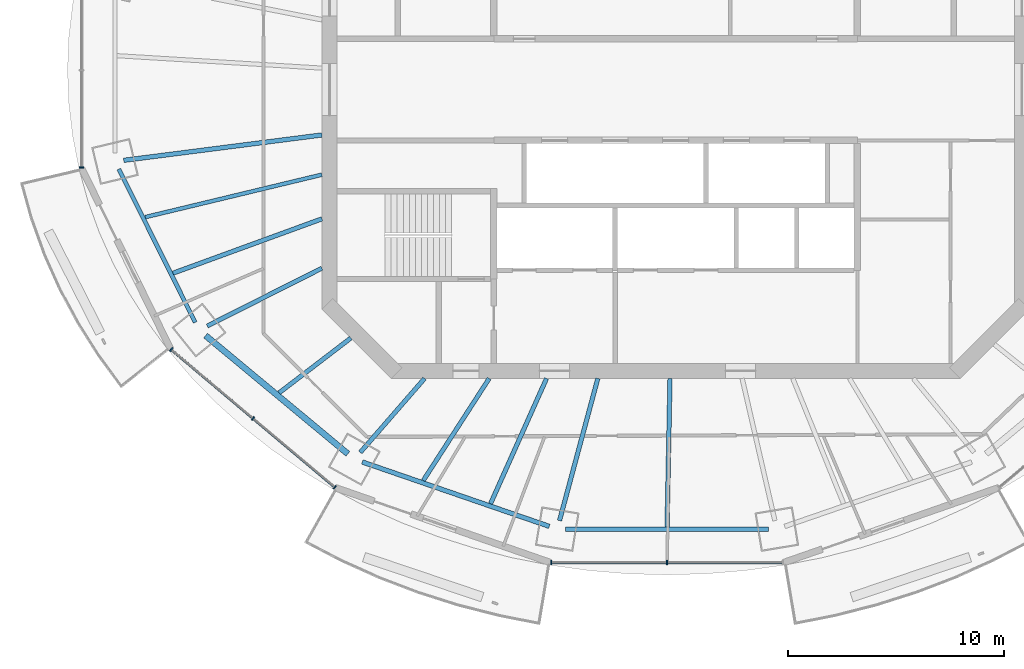
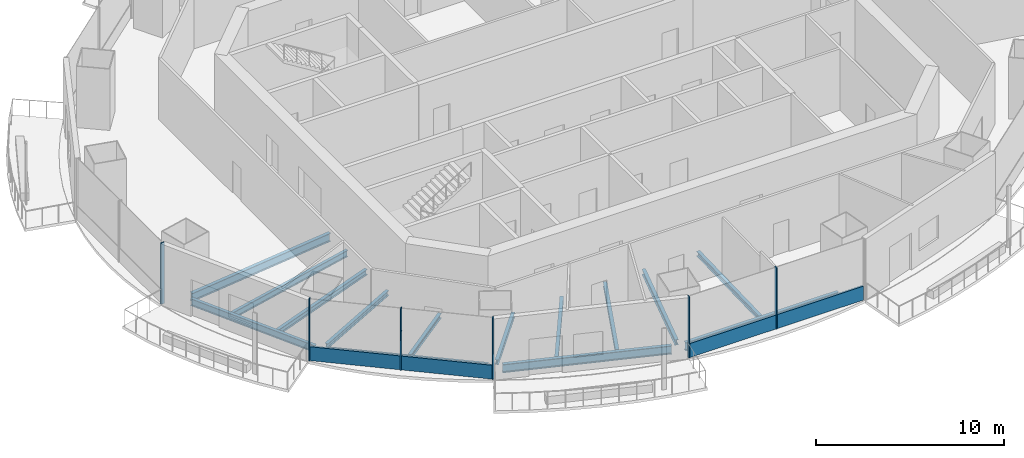
# One storey, part 2 of 16: 14 beams, 8 members, 3 elements without a shape of their own.
"""IFC4 building model written with IfcOpenShell, lengths in metres."""

from ifc_helpers import new_model, si_unit, direction, frame, origin, origin_2d, place, context, subcontext, project, spatial, rectangle, i_section, extrude, material, material_profile, profile_set, type_object, element, aggregate, save


model = new_model("IFC4")

# Units and contexts
model_context = context("Model", 3, precision=1e-05, world=origin(), true_north=direction((0.0, 1.0)))
body_context = subcontext(model_context, "Body", "Model", "MODEL_VIEW")
ifc_project = project(units=[si_unit("LENGTHUNIT", "METRE"), si_unit("AREAUNIT", "SQUARE_METRE"), si_unit("VOLUMEUNIT", "CUBIC_METRE"), si_unit("PLANEANGLEUNIT", "RADIAN"), si_unit("MASSUNIT", "GRAM", prefix="KILO")], contexts=[model_context])

# Site, building, storey
site_placement = place(None, origin())
site = spatial("IfcSite", under=ifc_project, at=site_placement, CompositionType="ELEMENT")
building_placement = place(site_placement, origin())
building = spatial("IfcBuilding", under=site, at=building_placement, Name="Marenthal Gate Tower", CompositionType="ELEMENT")
storey_placement = place(building_placement, frame((0.0, 0.0, 326.0)))
storey = spatial("IfcBuildingStorey", under=building, at=storey_placement, Name="L73", CompositionType="ELEMENT", Elevation=326.0)

# Curtain wall, member
ifc_material_1 = material(Name="Aluminium and glass", Category="aluminium")
curtain_wall_type = type_object("IfcCurtainWallType", Name="Curtain wall typical high", PredefinedType="NOTDEFINED", material=ifc_material_1)
curtain_wall_1_placement = place(storey_placement, origin())
curtain_wall_1 = element("IfcCurtainWall", 1, at=curtain_wall_1_placement, inside=storey, type_object=curtain_wall_type, Name="Curtain wall L73 bay 8", PredefinedType="NOTDEFINED")
ifc_material_2 = material(Name="Aluminium", Category="aluminium")
ifc_material_profile_1 = material_profile(ifc_material_2, rectangle(XDim=0.199951171875, YDim=0.06005859375, at=origin_2d()), Name="60x200 aluminium mullion")
ifc_profile_set_1 = profile_set([ifc_material_profile_1], Name="Aluminium")
member_type_1 = type_object("IfcMemberType", Name="Mullion 60x200 typical high", PredefinedType="MULLION", material=ifc_profile_set_1)
member_1_placement = place(storey_placement, frame((-27.4619140625, -3.597412109375, 0.0), z_axis=(0.0, 0.0, 1.0), x_axis=(1.0, 0.0, 0.0)))
member_1 = element("IfcMember", 2, at=member_1_placement, type_object=member_type_1, Name="Mullion L73 bay 8.3", PredefinedType="MULLION", context=body_context, shape_type="SweptSolid", body=[
    extrude(rectangle(XDim=0.199951171875, YDim=0.06005859375, at=origin_2d()), origin(), (0.0, 0.0, 1.0), 3.969970703125),
])
aggregate(curtain_wall_1, [member_1])

# Curtain wall, members
curtain_wall_2_placement = place(storey_placement, origin())
curtain_wall_2 = element("IfcCurtainWall", 3, at=curtain_wall_2_placement, inside=storey, type_object=curtain_wall_type, Name="Curtain wall L73 bay 10", PredefinedType="NOTDEFINED")
member_2_placement = place(storey_placement, frame((-23.31884765625, -12.012451171875, 0.0), z_axis=(0.0, 0.0, 1.0), x_axis=(0.643676220215, 0.76529793122, 0.0)))
member_2 = element("IfcMember", 4, at=member_2_placement, type_object=member_type_1, Name="Mullion L73 bay 10.1", PredefinedType="MULLION", context=body_context, shape_type="SweptSolid", body=[
    extrude(rectangle(XDim=0.199951171875, YDim=0.06005859375, at=origin_2d()), origin(), (0.0, 0.0, 1.0), 3.969970703125),
])
member_3_placement = place(storey_placement, frame((-19.53564453125, -15.194580078125, 0.0), z_axis=(0.0, 0.0, 1.0), x_axis=(0.643676220215, 0.76529793122, 0.0)))
member_3 = element("IfcMember", 5, at=member_3_placement, type_object=member_type_1, Name="Mullion L73 bay 10.2", PredefinedType="MULLION", context=body_context, shape_type="SweptSolid", body=[
    extrude(rectangle(XDim=0.199951171875, YDim=0.06005859375, at=origin_2d()), origin(), (0.0, 0.0, 1.0), 3.969970703125),
])
member_4_placement = place(storey_placement, frame((-15.752197265625, -18.37646484375, 0.0), z_axis=(0.0, 0.0, 1.0), x_axis=(0.643676220215, 0.76529793122, 0.0)))
member_4 = element("IfcMember", 6, at=member_4_placement, type_object=member_type_1, Name="Mullion L73 bay 10.3", PredefinedType="MULLION", context=body_context, shape_type="SweptSolid", body=[
    extrude(rectangle(XDim=0.199951171875, YDim=0.06005859375, at=origin_2d()), origin(), (0.0, 0.0, 1.0), 3.969970703125),
])

curtain_wall_3_placement = place(storey_placement, origin())
curtain_wall_3 = element("IfcCurtainWall", 7, at=curtain_wall_3_placement, inside=storey, type_object=curtain_wall_type, Name="Curtain wall L73 bay 12", PredefinedType="NOTDEFINED")
member_5_placement = place(storey_placement, frame((-5.7529296875, -21.861083984375, 0.0), z_axis=(0.0, 0.0, 1.0), x_axis=(0.0, 1.0, 0.0)))
member_5 = element("IfcMember", 8, at=member_5_placement, type_object=member_type_1, Name="Mullion L73 bay 12.1", PredefinedType="MULLION", context=body_context, shape_type="SweptSolid", body=[
    extrude(rectangle(XDim=0.199951171875, YDim=0.06005859375, at=origin_2d()), origin(), (0.0, 0.0, 1.0), 3.969970703125),
])
member_6_placement = place(storey_placement, frame((-0.39990234375, -21.861083984375, 0.0), z_axis=(0.0, 0.0, 1.0), x_axis=(0.0, 1.0, 0.0)))
member_6 = element("IfcMember", 9, at=member_6_placement, type_object=member_type_1, Name="Mullion L73 bay 12.2", PredefinedType="MULLION", context=body_context, shape_type="SweptSolid", body=[
    extrude(rectangle(XDim=0.199951171875, YDim=0.06005859375, at=origin_2d()), origin(), (0.0, 0.0, 1.0), 3.969970703125),
])

# Member
ifc_material_3 = material(Name="Aluminium", Category="aluminium")
ifc_material_profile_2 = material_profile(ifc_material_3, rectangle(XDim=0.1201171875, YDim=0.89990234375, at=origin_2d()), Name="120x900 aluminium transom")
ifc_profile_set_2 = profile_set([ifc_material_profile_2], Name="Aluminium")
member_type_2 = type_object("IfcMemberType", Name="Transom 120x900 typical high", PredefinedType="USERDEFINED", material=ifc_profile_set_2)
member_7_placement = place(storey_placement, frame((-23.2958984375, -12.03173828125, 0.449951171875), z_axis=(0.765303397989, -0.643669720451, 0.0), x_axis=(0.643669720451, 0.765303397989, 0.0)))
member_7 = element("IfcMember", 10, at=member_7_placement, type_object=member_type_2, Name="Transom L73 bay 10", ObjectType="TRANSOM", PredefinedType="USERDEFINED", context=body_context, shape_type="SweptSolid", body=[
    extrude(rectangle(XDim=0.1201171875, YDim=0.89990234375, at=origin_2d()), origin(), (0.0, 0.0, 1.0), 9.8271484375),
])

aggregate(curtain_wall_2, [member_2, member_3, member_4, member_7])

member_8_placement = place(storey_placement, frame((-5.722900390625, -21.861083984375, 0.449951171875), z_axis=(1.0, 0.0, 0.0), x_axis=(0.0, 1.0, 0.0)))
member_8 = element("IfcMember", 11, at=member_8_placement, type_object=member_type_2, Name="Transom L73 bay 12", ObjectType="TRANSOM", PredefinedType="USERDEFINED", context=body_context, shape_type="SweptSolid", body=[
    extrude(rectangle(XDim=0.1201171875, YDim=0.89990234375, at=origin_2d()), origin(), (0.0, 0.0, 1.0), 10.645751953125),
])

aggregate(curtain_wall_3, [member_5, member_6, member_8])

# Beams
ifc_material_4 = material(Name="Steel S355", Category="steel")
ifc_material_profile_3 = material_profile(ifc_material_4, i_section(OverallWidth=0.202880859375, OverallDepth=0.302001953125, WebThickness=0.007568359375, FlangeThickness=0.01318359375, FilletRadius=0.0126953125, at=origin_2d()), Name="W310X60")
ifc_profile_set_3 = profile_set([ifc_material_profile_3], Name="Steel S355")
beam_type_1 = type_object("IfcBeamType", Name="W310X60 beam", PredefinedType="BEAM", material=ifc_profile_set_3)
beam_1_placement = place(storey_placement, frame((-18.326171875, -14.01171875, -0.3310546875), z_axis=(0.794406043308, 0.607387058107, 0.0), x_axis=(-0.607387058107, 0.794406043308, 0.0)))
element("IfcBeam", 12, at=beam_1_placement, inside=storey, type_object=beam_type_1, Name="BM-L73-31", PredefinedType="BEAM", context=body_context, shape_type="SweptSolid", body=[
    extrude(i_section(OverallWidth=0.202880859375, OverallDepth=0.302001953125, WebThickness=0.007568359375, FlangeThickness=0.01318359375, FilletRadius=0.0126953125, at=origin_2d()), origin(), (0.0, 0.0, 1.0), 4.168212890625),
])
beam_2_placement = place(storey_placement, frame((-11.666748046875, -18.06689453125, -0.3310546875), z_axis=(0.54247940517, 0.840069101305, 0.0), x_axis=(-0.840069101305, 0.54247940517, 0.0)))
element("IfcBeam", 13, at=beam_2_placement, inside=storey, type_object=beam_type_1, Name="BM-L73-32", PredefinedType="BEAM", context=body_context, shape_type="SweptSolid", body=[
    extrude(i_section(OverallWidth=0.202880859375, OverallDepth=0.302001953125, WebThickness=0.007568359375, FlangeThickness=0.01318359375, FilletRadius=0.0126953125, at=origin_2d()), origin(), (0.0, 0.0, 1.0), 5.61474609375),
])
ifc_material_5 = material(Name="Steel S355", Category="steel")
ifc_material_profile_4 = material_profile(ifc_material_5, i_section(OverallWidth=0.205078125, OverallDepth=0.31005859375, WebThickness=0.009521484375, FlangeThickness=0.016357421875, FilletRadius=0.0126953125, at=origin_2d()), Name="W310X74")
ifc_profile_set_4 = profile_set([ifc_material_profile_4], Name="Steel S355")
beam_type_2 = type_object("IfcBeamType", Name="W310X74 beam", PredefinedType="BEAM", material=ifc_profile_set_4)
beam_3_placement = place(storey_placement, frame((-21.653076171875, -10.926025390625, -0.3349609375), z_axis=(0.892768800331, 0.450515115346, 0.0), x_axis=(-0.450515115346, 0.892768800331, 0.0)))
element("IfcBeam", 14, at=beam_3_placement, inside=storey, type_object=beam_type_2, Name="BM-L73-10", PredefinedType="BEAM", context=body_context, shape_type="SweptSolid", body=[
    extrude(i_section(OverallWidth=0.205078125, OverallDepth=0.31005859375, WebThickness=0.009521484375, FlangeThickness=0.016357421875, FilletRadius=0.0126953125, at=origin_2d()), origin(), (0.0, 0.0, 1.0), 5.93994140625),
])
beam_4_placement = place(storey_placement, frame((-14.575927734375, -16.765380859375, -0.3349609375), z_axis=(0.656106588679, 0.754668234585, 0.0), x_axis=(-0.754668234585, 0.656106588679, 0.0)))
element("IfcBeam", 15, at=beam_4_placement, inside=storey, type_object=beam_type_2, Name="BM-L73-11", PredefinedType="BEAM", context=body_context, shape_type="SweptSolid", body=[
    extrude(i_section(OverallWidth=0.205078125, OverallDepth=0.31005859375, WebThickness=0.009521484375, FlangeThickness=0.016357421875, FilletRadius=0.0126953125, at=origin_2d()), origin(), (0.0, 0.0, 1.0), 4.525634765625),
])
beam_5_placement = place(storey_placement, frame((-8.556884765625, -19.1376953125, -0.3349609375), z_axis=(0.408195484467, 0.912894542902, 0.0), x_axis=(-0.912894542902, 0.408195484467, 0.0)))
element("IfcBeam", 16, at=beam_5_placement, inside=storey, type_object=beam_type_2, Name="BM-L73-33", PredefinedType="BEAM", context=body_context, shape_type="SweptSolid", body=[
    extrude(i_section(OverallWidth=0.205078125, OverallDepth=0.31005859375, WebThickness=0.009521484375, FlangeThickness=0.016357421875, FilletRadius=0.0126953125, at=origin_2d()), origin(), (0.0, 0.0, 1.0), 6.33984375),
])
beam_6_placement = place(storey_placement, frame((-0.39794921875, -20.205322265625, -0.3349609375), z_axis=(0.019690615226, 0.999806121041, 0.0), x_axis=(-0.999806121041, 0.019690615226, 0.0)))
element("IfcBeam", 17, at=beam_6_placement, inside=storey, type_object=beam_type_2, Name="BM-L73-34", PredefinedType="BEAM", context=body_context, shape_type="SweptSolid", body=[
    extrude(i_section(OverallWidth=0.205078125, OverallDepth=0.31005859375, WebThickness=0.009521484375, FlangeThickness=0.016357421875, FilletRadius=0.0126953125, at=origin_2d()), origin(), (0.0, 0.0, 1.0), 6.8564453125),
])
ifc_material_6 = material(Name="Steel S355", Category="steel")
ifc_material_profile_5 = material_profile(ifc_material_6, i_section(OverallWidth=0.205078125, OverallDepth=0.35302734375, WebThickness=0.009521484375, FlangeThickness=0.016845703125, FilletRadius=0.014892578125, at=origin_2d()), Name="W360X79")
ifc_profile_set_5 = profile_set([ifc_material_profile_5], Name="Steel S355")
beam_type_3 = type_object("IfcBeamType", Name="W360X79 beam", PredefinedType="BEAM", material=ifc_profile_set_5)
beam_7_placement = place(storey_placement, frame((-5.369384765625, -19.9208984375, -0.3564453125), z_axis=(0.260238494578, 0.96554436767, 0.0), x_axis=(-0.96554436767, 0.260238494578, 0.0)))
element("IfcBeam", 18, at=beam_7_placement, inside=storey, type_object=beam_type_3, Name="BM-L73-12", PredefinedType="BEAM", context=body_context, shape_type="SweptSolid", body=[
    extrude(i_section(OverallWidth=0.205078125, OverallDepth=0.35302734375, WebThickness=0.009521484375, FlangeThickness=0.016845703125, FilletRadius=0.014892578125, at=origin_2d()), origin(), (0.0, 0.0, 1.0), 6.80517578125),
])
beam_8_placement = place(storey_placement, frame((-23.232666015625, -8.483642578125, -0.3564453125), z_axis=(0.939335338873, 0.343000176594, 0.0), x_axis=(-0.343000176594, 0.939335338873, 0.0)))
element("IfcBeam", 19, at=beam_8_placement, inside=storey, type_object=beam_type_3, Name="BM-L73-30", PredefinedType="BEAM", context=body_context, shape_type="SweptSolid", body=[
    extrude(i_section(OverallWidth=0.205078125, OverallDepth=0.35302734375, WebThickness=0.009521484375, FlangeThickness=0.016845703125, FilletRadius=0.014892578125, at=origin_2d()), origin(), (0.0, 0.0, 1.0), 7.3271484375),
])
ifc_material_7 = material(Name="Steel S355", Category="steel")
ifc_material_profile_6 = material_profile(ifc_material_7, i_section(OverallWidth=0.180908203125, OverallDepth=0.4169921875, WebThickness=0.010986328125, FlangeThickness=0.018310546875, FilletRadius=0.01025390625, at=origin_2d()), Name="W410X85")
ifc_profile_set_6 = profile_set([ifc_material_profile_6], Name="Steel S355")
beam_type_4 = type_object("IfcBeamType", Name="W410X85 beam", PredefinedType="BEAM", material=ifc_profile_set_6)
beam_9_placement = place(storey_placement, frame((-24.522216796875, -5.89501953125, -0.388427734375), z_axis=(0.972298375937, 0.233743167065, 0.0), x_axis=(-0.233743167065, 0.972298375937, 0.0)))
element("IfcBeam", 20, at=beam_9_placement, inside=storey, type_object=beam_type_4, Name="BM-L73-29", PredefinedType="BEAM", context=body_context, shape_type="SweptSolid", body=[
    extrude(i_section(OverallWidth=0.180908203125, OverallDepth=0.4169921875, WebThickness=0.010986328125, FlangeThickness=0.018310546875, FilletRadius=0.01025390625, at=origin_2d()), origin(), (0.0, 0.0, 1.0), 8.405029296875),
])
ifc_material_8 = material(Name="Steel S355", Category="steel")
ifc_material_profile_7 = material_profile(ifc_material_8, i_section(OverallWidth=0.279052734375, OverallDepth=0.4619140625, WebThickness=0.0107421875, FlangeThickness=0.017333984375, FilletRadius=0.010009765625, at=origin_2d()), Name="W460X113")
ifc_profile_set_7 = profile_set([ifc_material_profile_7], Name="Steel S355")
beam_type_5 = type_object("IfcBeamType", Name="W460X113 beam", PredefinedType="BEAM", material=ifc_profile_set_7)
beam_10_placement = place(storey_placement, frame((-21.726318359375, -11.366455078125, -0.410888671875), z_axis=(0.768960363439, -0.63929645663, 0.0), x_axis=(0.63929645663, 0.768960363439, 0.0)))
element("IfcBeam", 21, at=beam_10_placement, inside=storey, type_object=beam_type_5, Name="BM-L73-50", PredefinedType="BEAM", context=body_context, shape_type="SweptSolid", body=[
    extrude(i_section(OverallWidth=0.279052734375, OverallDepth=0.4619140625, WebThickness=0.0107421875, FlangeThickness=0.017333984375, FilletRadius=0.010009765625, at=origin_2d()), origin(), (0.0, 0.0, 1.0), 8.550048828125),
])
ifc_material_9 = material(Name="Steel S355", Category="steel")
ifc_material_profile_8 = material_profile(ifc_material_9, i_section(OverallWidth=0.19091796875, OverallDepth=0.45703125, WebThickness=0.009033203125, FlangeThickness=0.014404296875, FilletRadius=0.01025390625, at=origin_2d()), Name="W460X74")
ifc_profile_set_8 = profile_set([ifc_material_profile_8], Name="Steel S355")
beam_type_6 = type_object("IfcBeamType", Name="W460X74 beam", PredefinedType="BEAM", material=ifc_profile_set_8)
beam_11_placement = place(storey_placement, frame((-25.734619140625, -3.675537109375, -0.408447265625), z_axis=(0.445917839927, -0.89507389641, 0.0), x_axis=(0.89507389641, 0.445917839927, 0.0)))
element("IfcBeam", 22, at=beam_11_placement, inside=storey, type_object=beam_type_6, Name="BM-L73-49", PredefinedType="BEAM", context=body_context, shape_type="SweptSolid", body=[
    extrude(i_section(OverallWidth=0.19091796875, OverallDepth=0.45703125, WebThickness=0.009033203125, FlangeThickness=0.014404296875, FilletRadius=0.01025390625, at=origin_2d()), origin(), (0.0, 0.0, 1.0), 7.916259765625),
])
ifc_material_10 = material(Name="Steel S355", Category="steel")
ifc_material_profile_9 = material_profile(ifc_material_10, i_section(OverallWidth=0.2099609375, OverallDepth=0.535888671875, WebThickness=0.010986328125, FlangeThickness=0.017333984375, FilletRadius=0.0126953125, at=origin_2d()), Name="W530X101")
ifc_profile_set_9 = profile_set([ifc_material_profile_9], Name="Steel S355")
beam_type_7 = type_object("IfcBeamType", Name="W530X101 beam", PredefinedType="BEAM", material=ifc_profile_set_9)
beam_12_placement = place(storey_placement, frame((-25.51025390625, -3.267578125, -0.447998046875), z_axis=(0.991895851431, 0.127053610394, 0.0), x_axis=(-0.127053610394, 0.991895851431, 0.0)))
element("IfcBeam", 23, at=beam_12_placement, inside=storey, type_object=beam_type_7, Name="BM-L73-09", PredefinedType="BEAM", context=body_context, shape_type="SweptSolid", body=[
    extrude(i_section(OverallWidth=0.2099609375, OverallDepth=0.535888671875, WebThickness=0.010986328125, FlangeThickness=0.017333984375, FilletRadius=0.0126953125, at=origin_2d()), origin(), (0.0, 0.0, 1.0), 9.235107421875),
])
ifc_material_11 = material(Name="Steel S355", Category="steel")
ifc_material_profile_10 = material_profile(ifc_material_11, i_section(OverallWidth=0.2119140625, OverallDepth=0.5439453125, WebThickness=0.01318359375, FlangeThickness=0.021240234375, FilletRadius=0.0126953125, at=origin_2d()), Name="W530X123")
ifc_profile_set_10 = profile_set([ifc_material_profile_10], Name="Steel S355")
beam_type_8 = type_object("IfcBeamType", Name="W530X123 beam", PredefinedType="BEAM", material=ifc_profile_set_10)
beam_13_placement = place(storey_placement, frame((-14.48388671875, -17.208740234375, -0.451904296875), z_axis=(0.945498363712, -0.325626848122, 0.0), x_axis=(0.325626848122, 0.945498363712, 0.0)))
element("IfcBeam", 24, at=beam_13_placement, inside=storey, type_object=beam_type_8, Name="BM-L73-51", PredefinedType="BEAM", context=body_context, shape_type="SweptSolid", body=[
    extrude(i_section(OverallWidth=0.2119140625, OverallDepth=0.5439453125, WebThickness=0.01318359375, FlangeThickness=0.021240234375, FilletRadius=0.0126953125, at=origin_2d()), origin(), (0.0, 0.0, 1.0), 9.14111328125),
])
beam_14_placement = place(storey_placement, frame((-5.087890625, -20.311279296875, -0.451904296875), z_axis=(1.0, 0.0, 0.0), x_axis=(0.0, 1.0, 0.0)))
element("IfcBeam", 25, at=beam_14_placement, inside=storey, type_object=beam_type_8, Name="BM-L73-52", PredefinedType="BEAM", context=body_context, shape_type="SweptSolid", body=[
    extrude(i_section(OverallWidth=0.2119140625, OverallDepth=0.5439453125, WebThickness=0.01318359375, FlangeThickness=0.021240234375, FilletRadius=0.0126953125, at=origin_2d()), origin(), (0.0, 0.0, 1.0), 9.375732421875),
])

save(model, "model.ifc")
